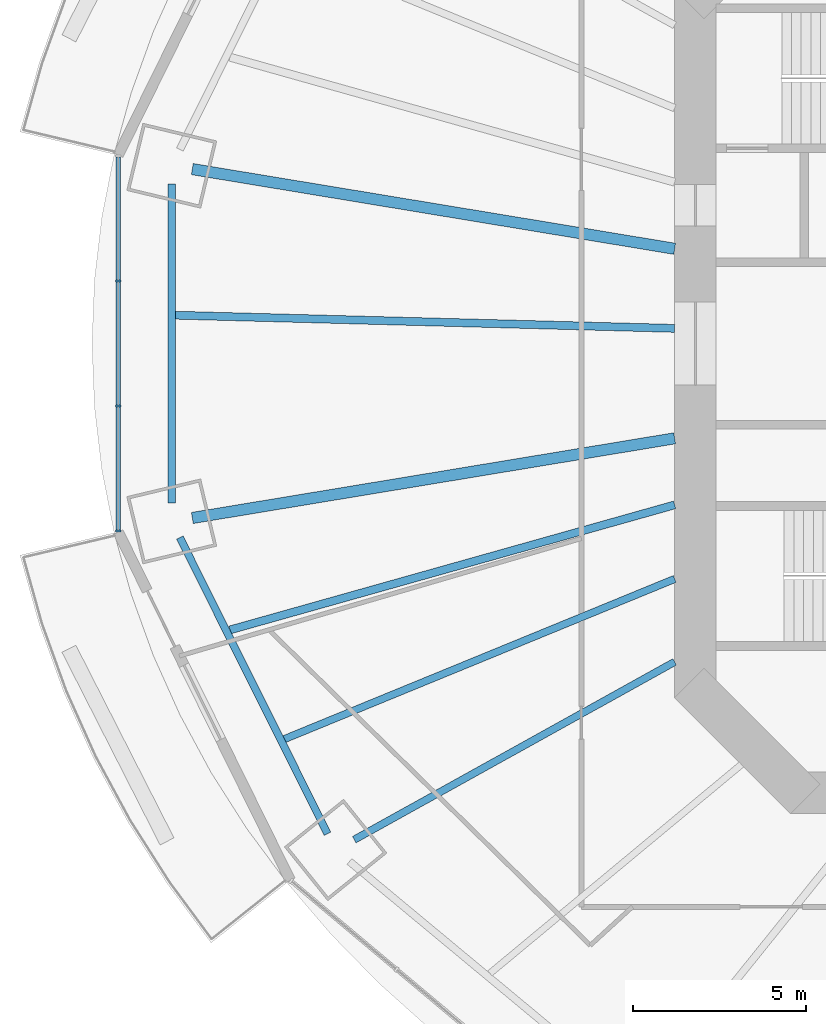
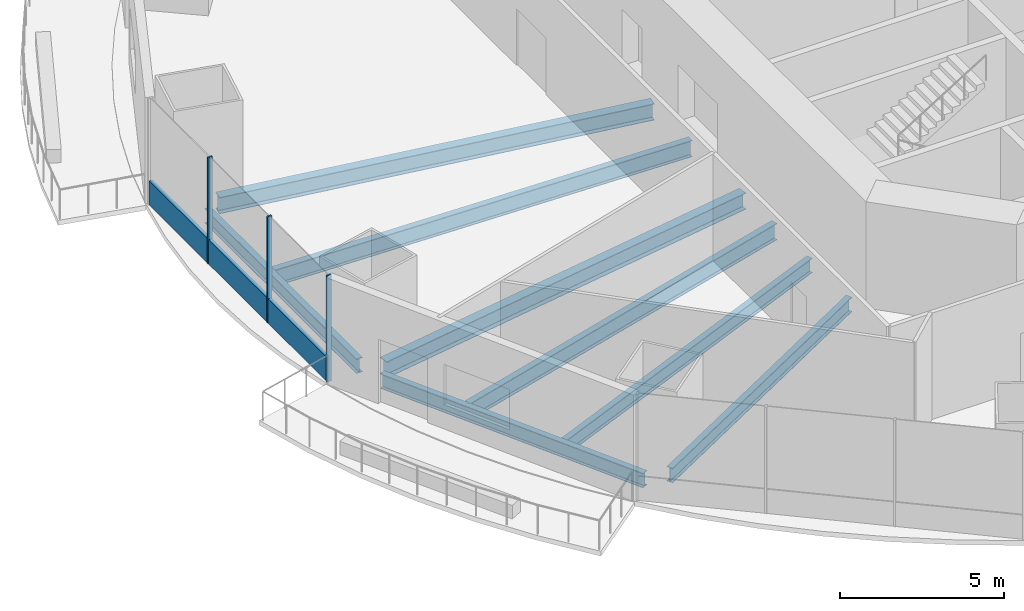
# One storey, part 3 of 18: 8 beams, 4 members, 1 element without a shape of its own.
"""IFC4 building model written with IfcOpenShell, lengths in metres."""

from ifc_helpers import new_model, si_unit, direction, frame, origin, origin_2d, place, context, subcontext, project, spatial, rectangle, i_section, extrude, material, material_profile, profile_set, type_object, element, aggregate, save


model = new_model("IFC4")

# Units and contexts
model_context = context("Model", 3, precision=1e-05, world=origin(), true_north=direction((0.0, 1.0)))
body_context = subcontext(model_context, "Body", "Model", "MODEL_VIEW")
ifc_project = project(units=[si_unit("LENGTHUNIT", "METRE"), si_unit("AREAUNIT", "SQUARE_METRE"), si_unit("VOLUMEUNIT", "CUBIC_METRE"), si_unit("PLANEANGLEUNIT", "RADIAN"), si_unit("MASSUNIT", "GRAM", prefix="KILO")], contexts=[model_context])

# Site, building, storey
site_placement = place(None, origin())
site = spatial("IfcSite", under=ifc_project, at=site_placement, CompositionType="ELEMENT")
building_placement = place(site_placement, origin())
building = spatial("IfcBuilding", under=site, at=building_placement, Name="Marenthal Gate Tower", CompositionType="ELEMENT")
storey_placement = place(building_placement, frame((0.0, 0.0, 140.89990234375)))
storey = spatial("IfcBuildingStorey", under=building, at=storey_placement, Name="L30", CompositionType="ELEMENT", Elevation=140.89990234375)

# Curtain wall, members
ifc_material_1 = material(Name="Aluminium and glass", Category="aluminium")
curtain_wall_type = type_object("IfcCurtainWallType", Name="Curtain wall typical low", PredefinedType="NOTDEFINED", material=ifc_material_1)
curtain_wall_placement = place(storey_placement, origin())
curtain_wall = element("IfcCurtainWall", 1, at=curtain_wall_placement, inside=storey, type_object=curtain_wall_type, Name="Curtain wall L30 bay 8", PredefinedType="NOTDEFINED")
ifc_material_2 = material(Name="Aluminium", Category="aluminium")
ifc_material_profile_1 = material_profile(ifc_material_2, rectangle(XDim=0.159912109375, YDim=0.06005859375, at=origin_2d()), Name="60x160 aluminium mullion")
ifc_profile_set_1 = profile_set([ifc_material_profile_1], Name="Aluminium")
member_type_1 = type_object("IfcMemberType", Name="Mullion 60x160 typical low", PredefinedType="MULLION", material=ifc_profile_set_1)
member_1_placement = place(storey_placement, frame((-32.701416015625, 1.80810546875, 0.0), z_axis=(0.0, 0.0, 1.0), x_axis=(1.0, 0.0, 0.0)))
member_1 = element("IfcMember", 2, at=member_1_placement, type_object=member_type_1, Name="Mullion L30 bay 8.2", PredefinedType="MULLION", context=body_context, shape_type="SweptSolid", body=[
    extrude(rectangle(XDim=0.159912109375, YDim=0.06005859375, at=origin_2d()), origin(), (0.0, 0.0, 1.0), 3.9501953125),
])
member_2_placement = place(storey_placement, frame((-32.701416015625, -1.80810546875, 0.0), z_axis=(0.0, 0.0, 1.0), x_axis=(1.0, 0.0, 0.0)))
member_2 = element("IfcMember", 3, at=member_2_placement, type_object=member_type_1, Name="Mullion L30 bay 8.3", PredefinedType="MULLION", context=body_context, shape_type="SweptSolid", body=[
    extrude(rectangle(XDim=0.159912109375, YDim=0.06005859375, at=origin_2d()), origin(), (0.0, 0.0, 1.0), 3.9501953125),
])
member_3_placement = place(storey_placement, frame((-32.701416015625, -5.424072265625, 0.0), z_axis=(0.0, 0.0, 1.0), x_axis=(1.0, 0.0, 0.0)))
member_3 = element("IfcMember", 4, at=member_3_placement, type_object=member_type_1, Name="Mullion L30 bay 8.4", PredefinedType="MULLION", context=body_context, shape_type="SweptSolid", body=[
    extrude(rectangle(XDim=0.159912109375, YDim=0.06005859375, at=origin_2d()), origin(), (0.0, 0.0, 1.0), 3.9501953125),
])
ifc_material_3 = material(Name="Aluminium", Category="aluminium")
ifc_material_profile_2 = material_profile(ifc_material_3, rectangle(XDim=0.1201171875, YDim=0.89990234375, at=origin_2d()), Name="120x900 aluminium transom")
ifc_profile_set_2 = profile_set([ifc_material_profile_2], Name="Aluminium")
member_type_2 = type_object("IfcMemberType", Name="Transom 120x900 typical low", PredefinedType="USERDEFINED", material=ifc_profile_set_2)
member_4_placement = place(storey_placement, frame((-32.701416015625, 5.39404296875, 0.4501953125), z_axis=(0.0, -1.0, 0.0), x_axis=(1.0, 0.0, 0.0)))
member_4 = element("IfcMember", 5, at=member_4_placement, type_object=member_type_2, Name="Transom L30 bay 8", ObjectType="TRANSOM", PredefinedType="USERDEFINED", context=body_context, shape_type="SweptSolid", body=[
    extrude(rectangle(XDim=0.1201171875, YDim=0.89990234375, at=origin_2d()), origin(), (0.0, 0.0, 1.0), 10.7880859375),
])
aggregate(curtain_wall, [member_1, member_2, member_3, member_4])

# Beams
ifc_material_4 = material(Name="Steel S355", Category="steel")
ifc_material_profile_3 = material_profile(ifc_material_4, i_section(OverallWidth=0.2119140625, OverallDepth=0.5439453125, WebThickness=0.01318359375, FlangeThickness=0.021240234375, FilletRadius=0.0126953125, at=origin_2d()), Name="W530X123")
ifc_profile_set_3 = profile_set([ifc_material_profile_3], Name="Steel S355")
beam_type_1 = type_object("IfcBeamType", Name="W530X123 beam", PredefinedType="BEAM", material=ifc_profile_set_3)
beam_1_placement = place(storey_placement, frame((-25.8701171875, -14.355224609375, -0.451904296875), z_axis=(0.874396146379, 0.485212715412, 0.0), x_axis=(-0.485212715412, 0.874396146379, 0.0)))
element("IfcBeam", 6, at=beam_1_placement, inside=storey, type_object=beam_type_1, Name="BM-L30-10", PredefinedType="BEAM", context=body_context, shape_type="SweptSolid", body=[
    extrude(i_section(OverallWidth=0.2119140625, OverallDepth=0.5439453125, WebThickness=0.01318359375, FlangeThickness=0.021240234375, FilletRadius=0.0126953125, at=origin_2d()), origin(), (0.0, 0.0, 1.0), 10.6015625),
])
beam_2_placement = place(storey_placement, frame((-27.8916015625, -11.444580078125, -0.451904296875), z_axis=(0.925143041133, 0.379618694803, 0.0), x_axis=(-0.379618694803, 0.925143041133, 0.0)))
element("IfcBeam", 7, at=beam_2_placement, inside=storey, type_object=beam_type_1, Name="BM-L30-30", PredefinedType="BEAM", context=body_context, shape_type="SweptSolid", body=[
    extrude(i_section(OverallWidth=0.2119140625, OverallDepth=0.5439453125, WebThickness=0.01318359375, FlangeThickness=0.021240234375, FilletRadius=0.0126953125, at=origin_2d()), origin(), (0.0, 0.0, 1.0), 12.205078125),
])
beam_3_placement = place(storey_placement, frame((-31.151611328125, 4.61767578125, -0.451904296875), z_axis=(0.0, -1.0, 0.0), x_axis=(1.0, 0.0, 0.0)))
element("IfcBeam", 8, at=beam_3_placement, inside=storey, type_object=beam_type_1, Name="BM-L30-48", PredefinedType="BEAM", context=body_context, shape_type="SweptSolid", body=[
    extrude(i_section(OverallWidth=0.2119140625, OverallDepth=0.5439453125, WebThickness=0.01318359375, FlangeThickness=0.021240234375, FilletRadius=0.0126953125, at=origin_2d()), origin(), (0.0, 0.0, 1.0), 9.2353515625),
])
beam_4_placement = place(storey_placement, frame((-30.916748046875, -5.616943359375, -0.451904296875), z_axis=(0.446356728124, -0.89485511188, 0.0), x_axis=(0.89485511188, 0.446356728124, 0.0)))
element("IfcBeam", 9, at=beam_4_placement, inside=storey, type_object=beam_type_1, Name="BM-L30-49", PredefinedType="BEAM", context=body_context, shape_type="SweptSolid", body=[
    extrude(i_section(OverallWidth=0.2119140625, OverallDepth=0.5439453125, WebThickness=0.01318359375, FlangeThickness=0.021240234375, FilletRadius=0.0126953125, at=origin_2d()), origin(), (0.0, 0.0, 1.0), 9.57568359375),
])
ifc_material_5 = material(Name="Steel S355", Category="steel")
ifc_material_profile_4 = material_profile(ifc_material_5, i_section(OverallWidth=0.22900390625, OverallDepth=0.612060546875, WebThickness=0.011962890625, FlangeThickness=0.01953125, FilletRadius=0.0126953125, at=origin_2d()), Name="W610X125")
ifc_profile_set_4 = profile_set([ifc_material_profile_4], Name="Steel S355")
beam_type_2 = type_object("IfcBeamType", Name="W610X125 beam", PredefinedType="BEAM", material=ifc_profile_set_4)
beam_5_placement = place(storey_placement, frame((-31.045654296875, 0.820556640625, -0.48583984375), z_axis=(0.999650837546, -0.026423531071, 0.0), x_axis=(0.026423531071, 0.999650837546, 0.0)))
element("IfcBeam", 10, at=beam_5_placement, inside=storey, type_object=beam_type_2, Name="BM-L30-28", PredefinedType="BEAM", context=body_context, shape_type="SweptSolid", body=[
    extrude(i_section(OverallWidth=0.22900390625, OverallDepth=0.612060546875, WebThickness=0.011962890625, FlangeThickness=0.01953125, FilletRadius=0.0126953125, at=origin_2d()), origin(), (0.0, 0.0, 1.0), 14.45068359375),
])
beam_6_placement = place(storey_placement, frame((-29.466796875, -8.2861328125, -0.48583984375), z_axis=(0.962662543646, 0.270704316664, 0.0), x_axis=(-0.270704316664, 0.962662543646, 0.0)))
element("IfcBeam", 11, at=beam_6_placement, inside=storey, type_object=beam_type_2, Name="BM-L30-29", PredefinedType="BEAM", context=body_context, shape_type="SweptSolid", body=[
    extrude(i_section(OverallWidth=0.22900390625, OverallDepth=0.612060546875, WebThickness=0.011962890625, FlangeThickness=0.01953125, FilletRadius=0.0126953125, at=origin_2d()), origin(), (0.0, 0.0, 1.0), 13.36572265625),
])
ifc_material_6 = material(Name="Steel S355", Category="steel")
ifc_material_profile_5 = material_profile(ifc_material_6, i_section(OverallWidth=0.324951171875, OverallDepth=0.612060546875, WebThickness=0.0126953125, FlangeThickness=0.01904296875, FilletRadius=0.0126953125, at=origin_2d()), Name="W610X155")
ifc_profile_set_5 = profile_set([ifc_material_profile_5], Name="Steel S355")
beam_type_3 = type_object("IfcBeamType", Name="W610X155 beam", PredefinedType="BEAM", material=ifc_profile_set_5)
for number, where, z_axis, x_axis, name in (
    (12, (-30.556884765625, 5.047607421875, -0.48583984375), (0.986630319442, -0.162974270234, 0.0), (0.162974270234, 0.986630319442, 0.0), "BM-L30-08"),
    (13, (-30.556884765625, -5.047607421875, -0.48583984375), (0.986630319442, 0.162974270234, 0.0), (-0.162974270234, 0.986630319442, 0.0), "BM-L30-09"),
):
    element("IfcBeam", number, at=place(storey_placement, frame(where, z_axis=z_axis, x_axis=x_axis)), inside=storey, type_object=beam_type_3, Name=name, PredefinedType="BEAM", context=body_context, shape_type="SweptSolid", body=[
        extrude(i_section(OverallWidth=0.324951171875, OverallDepth=0.612060546875, WebThickness=0.0126953125, FlangeThickness=0.01904296875, FilletRadius=0.0126953125, at=origin_2d()), origin(), (0.0, 0.0, 1.0), 14.14599609375),
    ])

save(model, "model.ifc")
